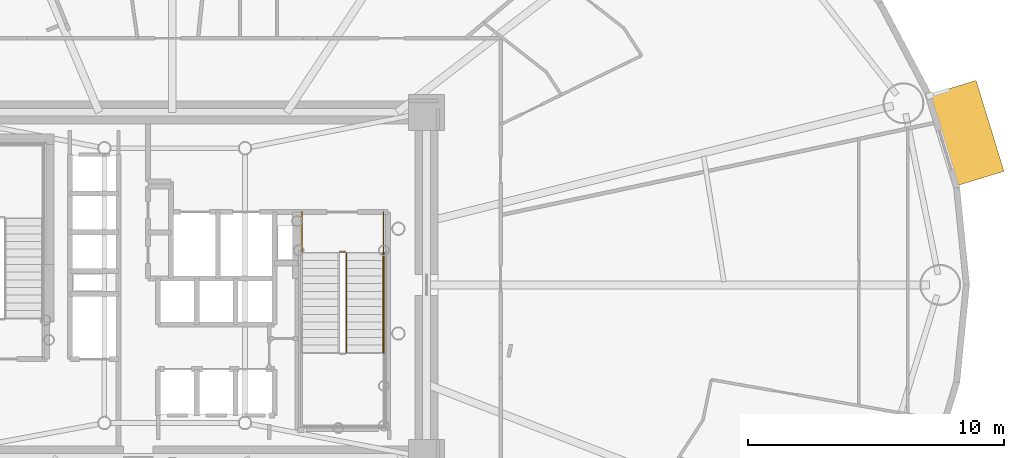
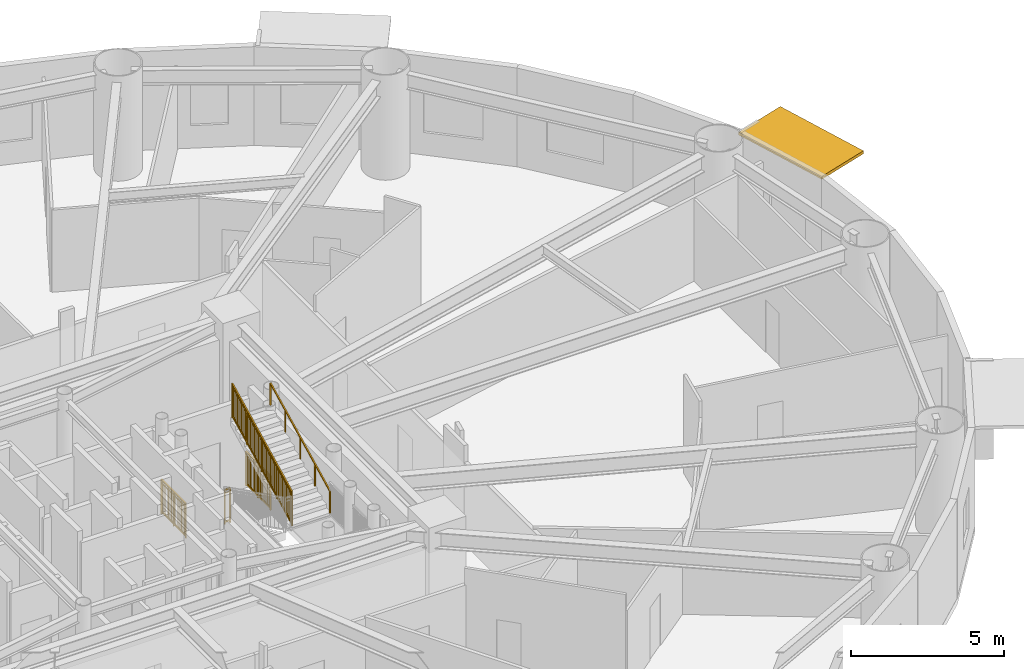
# One storey, part 20 of 21: 5 railings, 1 shading device.
"""IFC4 building model written with IfcOpenShell, lengths in metres."""

from ifc_helpers import new_model, si_unit, direction, frame, origin, origin_2d, place, context, subcontext, project, spatial, rectangle, extrude, source, transform, mapped, material, layer, layer_set, type_object, element, save


model = new_model("IFC4")

# Units and contexts
model_context = context("Model", 3, precision=1e-05, world=origin(), true_north=direction((0.0, 1.0)))
body_context = subcontext(model_context, "Body", "Model", "MODEL_VIEW")
ifc_project = project(units=[si_unit("LENGTHUNIT", "METRE"), si_unit("AREAUNIT", "SQUARE_METRE"), si_unit("VOLUMEUNIT", "CUBIC_METRE"), si_unit("PLANEANGLEUNIT", "RADIAN"), si_unit("MASSUNIT", "GRAM", prefix="KILO")], contexts=[model_context])

# Site, building, storey
site_placement = place(None, origin())
site = spatial("IfcSite", under=ifc_project, at=site_placement, CompositionType="ELEMENT")
building_placement = place(site_placement, origin())
building = spatial("IfcBuilding", under=site, at=building_placement, Name="Linh Dai School and Residence Tower", CompositionType="ELEMENT")
storey_placement = place(building_placement, frame((0.0, 0.0, 61.800048828125)))
storey = spatial("IfcBuildingStorey", under=building, at=storey_placement, Name="L14", CompositionType="ELEMENT", Elevation=61.800048828125)

# Shading device
ifc_material_1 = material(Name="Terracotta Ceramic Sunshade", Category="masonry")
ifc_layer = layer(ifc_material_1, 0.1201171875)
ifc_layer_set = layer_set([ifc_layer], Name="Terracotta Ceramic Sunshade")
shading_device_type = type_object("IfcShadingDeviceType", Name="SHD-TC-2000", PredefinedType="USERDEFINED", material=ifc_layer_set)
shared_shape_1 = source(origin(), body_context, "Body", "SweptSolid", [
    extrude(rectangle(XDim=3.7197265625, YDim=2.0, at=origin_2d()), origin(), (0.0, 0.0, 1.0), 0.1201171875),
])
shading_device_placement = place(storey_placement, frame((67.043212890625, 32.9306640625, 3.809814453125), z_axis=(0.0, 0.0, 1.0), x_axis=(0.293145733514, -0.956067769001, 0.0)))
element("IfcShadingDevice", 1, at=shading_device_placement, inside=storey, type_object=shading_device_type, Name="L14 Terracotta Horizontal Sunshade Band 02", ObjectType="SUNSHADE", PredefinedType="USERDEFINED", context=body_context, shape_type="MappedRepresentation", body=[
    mapped(shared_shape_1, transform((0.0, 0.0, 0.0), x_axis=(1.0, 0.0, 0.0), y_axis=(0.0, 1.0, 0.0), z_axis=(0.0, 0.0, 1.0), scale=1.0)),
])

# Railings
ifc_material_2 = material(Name="Structural Steel S355JR", Category="steel")
railing_type_1 = type_object("IfcRailingType", Name="RL-ST-GUARD-1400", PredefinedType="GUARDRAIL", material=ifc_material_2)
shared_shape_2 = source(origin(), body_context, "Body", "SweptSolid", [
    extrude(rectangle(XDim=0.048095703125, YDim=0.048095703125, at=origin_2d()), frame((0.0, 0.0, 1.3759765625), z_axis=(1.0, 0.0, 0.0), x_axis=(0.0, 1.0, 0.0)), (0.0, 0.0, 1.0), 0.199951171875),
    extrude(rectangle(XDim=0.048095703125, YDim=0.048095703125, at=origin_2d()), frame((0.0, 0.0, 0.10009765625), z_axis=(1.0, 0.0, 0.0), x_axis=(0.0, 1.0, 0.0)), (0.0, 0.0, 1.0), 0.199951171875),
    extrude(rectangle(XDim=0.030029296875, YDim=0.030029296875, at=origin_2d()), frame((0.0, 0.0, 1.239990234375), z_axis=(1.0, 0.0, 0.0), x_axis=(0.0, 1.0, 0.0)), (0.0, 0.0, 1.0), 0.199951171875),
    extrude(rectangle(XDim=0.0419921875, YDim=0.0419921875, at=origin_2d()), origin(), (0.0, 0.0, 1.0), 1.3759765625),
    extrude(rectangle(XDim=0.0419921875, YDim=0.0419921875, at=origin_2d()), frame((0.199951171875, 0.0, 0.0)), (0.0, 0.0, 1.0), 1.3759765625),
])
railing_1_placement = place(storey_placement, frame((42.570068359375, 28.300048828125, 0.0)))
element("IfcRailing", 2, at=railing_1_placement, inside=storey, type_object=railing_type_1, Name="L14 ST2 stair guard 7", PredefinedType="GUARDRAIL", context=body_context, shape_type="MappedRepresentation", body=[
    mapped(shared_shape_2, transform((0.0, 0.0, 0.0), x_axis=(1.0, 0.0, 0.0), y_axis=(0.0, 1.0, 0.0), z_axis=(0.0, 0.0, 1.0), scale=1.0)),
])
shared_shape_3 = source(origin(), body_context, "Body", "SweptSolid", [
    extrude(rectangle(XDim=0.048095703125, YDim=0.048095703125, at=origin_2d()), frame((0.0, 0.0, 1.3759765625), z_axis=(0.0, -1.0, 0.0), x_axis=(1.0, 0.0, 0.0)), (0.0, 0.0, 1.0), 1.60009765625),
    extrude(rectangle(XDim=0.048095703125, YDim=0.048095703125, at=origin_2d()), frame((0.0, 0.0, 0.10009765625), z_axis=(0.0, -1.0, 0.0), x_axis=(1.0, 0.0, 0.0)), (0.0, 0.0, 1.0), 1.60009765625),
    extrude(rectangle(XDim=0.030029296875, YDim=0.030029296875, at=origin_2d()), frame((0.0, 0.0, 1.239990234375), z_axis=(0.0, -1.0, 0.0), x_axis=(1.0, 0.0, 0.0)), (0.0, 0.0, 1.0), 1.60009765625),
    extrude(rectangle(XDim=0.02001953125, YDim=0.02001953125, at=origin_2d()), frame((0.0, -0.09423828125, 0.10009765625)), (0.0, 0.0, 1.0), 1.251708984375),
    extrude(rectangle(XDim=0.02001953125, YDim=0.02001953125, at=origin_2d()), frame((0.0, -0.188232421875, 0.10009765625)), (0.0, 0.0, 1.0), 1.251708984375),
    extrude(rectangle(XDim=0.02001953125, YDim=0.02001953125, at=origin_2d()), frame((0.0, -0.282470703125, 0.10009765625)), (0.0, 0.0, 1.0), 1.251708984375),
    extrude(rectangle(XDim=0.02001953125, YDim=0.02001953125, at=origin_2d()), frame((0.0, -0.37646484375, 0.10009765625)), (0.0, 0.0, 1.0), 1.251708984375),
    extrude(rectangle(XDim=0.02001953125, YDim=0.02001953125, at=origin_2d()), frame((0.0, -0.470703125, 0.10009765625)), (0.0, 0.0, 1.0), 1.251708984375),
    extrude(rectangle(XDim=0.02001953125, YDim=0.02001953125, at=origin_2d()), frame((0.0, -0.564697265625, 0.10009765625)), (0.0, 0.0, 1.0), 1.251708984375),
    extrude(rectangle(XDim=0.02001953125, YDim=0.02001953125, at=origin_2d()), frame((0.0, -0.658935546875, 0.10009765625)), (0.0, 0.0, 1.0), 1.251708984375),
    extrude(rectangle(XDim=0.02001953125, YDim=0.02001953125, at=origin_2d()), frame((0.0, -0.7529296875, 0.10009765625)), (0.0, 0.0, 1.0), 1.251708984375),
    extrude(rectangle(XDim=0.02001953125, YDim=0.02001953125, at=origin_2d()), frame((0.0, -0.84716796875, 0.10009765625)), (0.0, 0.0, 1.0), 1.251708984375),
    extrude(rectangle(XDim=0.02001953125, YDim=0.02001953125, at=origin_2d()), frame((0.0, -0.941162109375, 0.10009765625)), (0.0, 0.0, 1.0), 1.251708984375),
    extrude(rectangle(XDim=0.02001953125, YDim=0.02001953125, at=origin_2d()), frame((0.0, -1.035400390625, 0.10009765625)), (0.0, 0.0, 1.0), 1.251708984375),
    extrude(rectangle(XDim=0.02001953125, YDim=0.02001953125, at=origin_2d()), frame((0.0, -1.12939453125, 0.10009765625)), (0.0, 0.0, 1.0), 1.251708984375),
    extrude(rectangle(XDim=0.02001953125, YDim=0.02001953125, at=origin_2d()), frame((0.0, -1.2236328125, 0.10009765625)), (0.0, 0.0, 1.0), 1.251708984375),
    extrude(rectangle(XDim=0.02001953125, YDim=0.02001953125, at=origin_2d()), frame((0.0, -1.317626953125, 0.10009765625)), (0.0, 0.0, 1.0), 1.251708984375),
    extrude(rectangle(XDim=0.02001953125, YDim=0.02001953125, at=origin_2d()), frame((0.0, -1.411865234375, 0.10009765625)), (0.0, 0.0, 1.0), 1.251708984375),
    extrude(rectangle(XDim=0.02001953125, YDim=0.02001953125, at=origin_2d()), frame((0.0, -1.505859375, 0.10009765625)), (0.0, 0.0, 1.0), 1.251708984375),
    extrude(rectangle(XDim=0.0419921875, YDim=0.0419921875, at=origin_2d()), origin(), (0.0, 0.0, 1.0), 1.3759765625),
    extrude(rectangle(XDim=0.0419921875, YDim=0.0419921875, at=origin_2d()), frame((0.0, -0.800048828125, 0.0)), (0.0, 0.0, 1.0), 1.3759765625),
    extrude(rectangle(XDim=0.0419921875, YDim=0.0419921875, at=origin_2d()), frame((0.0, -1.60009765625, 0.0)), (0.0, 0.0, 1.0), 1.3759765625),
])
for number, where, name in (
    (3, (41.070068359375, 29.85009765625, 0.0), "L14 ST2 stair guard 8"),
    (4, (44.27001953125, 29.85009765625, 0.0), "L14 ST2 stair guard 9"),
):
    element("IfcRailing", number, at=place(storey_placement, frame(where)), inside=storey, type_object=railing_type_1, Name=name, PredefinedType="GUARDRAIL", context=body_context, shape_type="MappedRepresentation", body=[
        mapped(shared_shape_3, transform((0.0, 0.0, 0.0), x_axis=(1.0, 0.0, 0.0), y_axis=(0.0, 1.0, 0.0), z_axis=(0.0, 0.0, 1.0), scale=1.0)),
    ])
shared_shape_4 = source(origin(), body_context, "Body", "SweptSolid", [
    extrude(rectangle(XDim=0.048095703125, YDim=0.048095703125, at=origin_2d()), frame((0.0, 0.0, 1.3759765625), z_axis=(0.0, 0.894427191, 0.4472135955), x_axis=(-1.0, 0.0, 0.0)), (0.0, 0.0, 1.0), 4.360107421875),
    extrude(rectangle(XDim=0.048095703125, YDim=0.048095703125, at=origin_2d()), frame((0.0, 0.0, 0.10009765625), z_axis=(0.0, 0.894427191, 0.4472135955), x_axis=(-1.0, 0.0, 0.0)), (0.0, 0.0, 1.0), 4.360107421875),
    extrude(rectangle(XDim=0.030029296875, YDim=0.030029296875, at=origin_2d()), frame((0.0, 0.0, 1.239990234375), z_axis=(0.0, 0.894427191, 0.4472135955), x_axis=(-1.0, 0.0, 0.0)), (0.0, 0.0, 1.0), 4.360107421875),
    extrude(rectangle(XDim=0.02001953125, YDim=0.02001953125, at=origin_2d()), frame((0.0, 0.086669921875, 0.143310546875)), (0.0, 0.0, 1.0), 1.251708984375),
    extrude(rectangle(XDim=0.02001953125, YDim=0.02001953125, at=origin_2d()), frame((0.0, 0.17333984375, 0.186767578125)), (0.0, 0.0, 1.0), 1.251708984375),
    extrude(rectangle(XDim=0.02001953125, YDim=0.02001953125, at=origin_2d()), frame((0.0, 0.260009765625, 0.22998046875)), (0.0, 0.0, 1.0), 1.251708984375),
    extrude(rectangle(XDim=0.02001953125, YDim=0.02001953125, at=origin_2d()), frame((0.0, 0.3466796875, 0.2734375)), (0.0, 0.0, 1.0), 1.251708984375),
    extrude(rectangle(XDim=0.02001953125, YDim=0.02001953125, at=origin_2d()), frame((0.0, 0.433349609375, 0.316650390625)), (0.0, 0.0, 1.0), 1.251708984375),
    extrude(rectangle(XDim=0.02001953125, YDim=0.02001953125, at=origin_2d()), frame((0.0, 0.52001953125, 0.360107421875)), (0.0, 0.0, 1.0), 1.251708984375),
    extrude(rectangle(XDim=0.02001953125, YDim=0.02001953125, at=origin_2d()), frame((0.0, 0.606689453125, 0.4033203125)), (0.0, 0.0, 1.0), 1.251708984375),
    extrude(rectangle(XDim=0.02001953125, YDim=0.02001953125, at=origin_2d()), frame((0.0, 0.693359375, 0.44677734375)), (0.0, 0.0, 1.0), 1.251708984375),
    extrude(rectangle(XDim=0.02001953125, YDim=0.02001953125, at=origin_2d()), frame((0.0, 0.780029296875, 0.489990234375)), (0.0, 0.0, 1.0), 1.251708984375),
    extrude(rectangle(XDim=0.02001953125, YDim=0.02001953125, at=origin_2d()), frame((0.0, 0.86669921875, 0.533447265625)), (0.0, 0.0, 1.0), 1.251708984375),
    extrude(rectangle(XDim=0.02001953125, YDim=0.02001953125, at=origin_2d()), frame((0.0, 1.0400390625, 0.6201171875)), (0.0, 0.0, 1.0), 1.251708984375),
    extrude(rectangle(XDim=0.02001953125, YDim=0.02001953125, at=origin_2d()), frame((0.0, 1.126708984375, 0.663330078125)), (0.0, 0.0, 1.0), 1.251708984375),
    extrude(rectangle(XDim=0.02001953125, YDim=0.02001953125, at=origin_2d()), frame((0.0, 1.21337890625, 0.706787109375)), (0.0, 0.0, 1.0), 1.251708984375),
    extrude(rectangle(XDim=0.02001953125, YDim=0.02001953125, at=origin_2d()), frame((0.0, 1.300048828125, 0.75)), (0.0, 0.0, 1.0), 1.251708984375),
    extrude(rectangle(XDim=0.02001953125, YDim=0.02001953125, at=origin_2d()), frame((0.0, 1.38671875, 0.79345703125)), (0.0, 0.0, 1.0), 1.251708984375),
    extrude(rectangle(XDim=0.02001953125, YDim=0.02001953125, at=origin_2d()), frame((0.0, 1.473388671875, 0.836669921875)), (0.0, 0.0, 1.0), 1.251708984375),
    extrude(rectangle(XDim=0.02001953125, YDim=0.02001953125, at=origin_2d()), frame((0.0, 1.56005859375, 0.880126953125)), (0.0, 0.0, 1.0), 1.251708984375),
    extrude(rectangle(XDim=0.02001953125, YDim=0.02001953125, at=origin_2d()), frame((0.0, 1.646728515625, 0.92333984375)), (0.0, 0.0, 1.0), 1.251708984375),
    extrude(rectangle(XDim=0.02001953125, YDim=0.02001953125, at=origin_2d()), frame((0.0, 1.7333984375, 0.966796875)), (0.0, 0.0, 1.0), 1.251708984375),
    extrude(rectangle(XDim=0.02001953125, YDim=0.02001953125, at=origin_2d()), frame((0.0, 1.820068359375, 1.010009765625)), (0.0, 0.0, 1.0), 1.251708984375),
    extrude(rectangle(XDim=0.02001953125, YDim=0.02001953125, at=origin_2d()), frame((0.0, 1.90673828125, 1.053466796875)), (0.0, 0.0, 1.0), 1.251708984375),
    extrude(rectangle(XDim=0.02001953125, YDim=0.02001953125, at=origin_2d()), frame((0.0, 1.9931640625, 1.0966796875)), (0.0, 0.0, 1.0), 1.251708984375),
    extrude(rectangle(XDim=0.02001953125, YDim=0.02001953125, at=origin_2d()), frame((0.0, 2.079833984375, 1.14013671875)), (0.0, 0.0, 1.0), 1.251708984375),
    extrude(rectangle(XDim=0.02001953125, YDim=0.02001953125, at=origin_2d()), frame((0.0, 2.16650390625, 1.183349609375)), (0.0, 0.0, 1.0), 1.251708984375),
    extrude(rectangle(XDim=0.02001953125, YDim=0.02001953125, at=origin_2d()), frame((0.0, 2.253173828125, 1.226806640625)), (0.0, 0.0, 1.0), 1.251708984375),
    extrude(rectangle(XDim=0.02001953125, YDim=0.02001953125, at=origin_2d()), frame((0.0, 2.33984375, 1.27001953125)), (0.0, 0.0, 1.0), 1.251708984375),
    extrude(rectangle(XDim=0.02001953125, YDim=0.02001953125, at=origin_2d()), frame((0.0, 2.426513671875, 1.3134765625)), (0.0, 0.0, 1.0), 1.251708984375),
    extrude(rectangle(XDim=0.02001953125, YDim=0.02001953125, at=origin_2d()), frame((0.0, 2.51318359375, 1.356689453125)), (0.0, 0.0, 1.0), 1.251708984375),
    extrude(rectangle(XDim=0.02001953125, YDim=0.02001953125, at=origin_2d()), frame((0.0, 2.599853515625, 1.400146484375)), (0.0, 0.0, 1.0), 1.251708984375),
    extrude(rectangle(XDim=0.02001953125, YDim=0.02001953125, at=origin_2d()), frame((0.0, 2.6865234375, 1.443359375)), (0.0, 0.0, 1.0), 1.251708984375),
    extrude(rectangle(XDim=0.02001953125, YDim=0.02001953125, at=origin_2d()), frame((0.0, 2.773193359375, 1.48681640625)), (0.0, 0.0, 1.0), 1.251708984375),
    extrude(rectangle(XDim=0.02001953125, YDim=0.02001953125, at=origin_2d()), frame((0.0, 2.85986328125, 1.530029296875)), (0.0, 0.0, 1.0), 1.251708984375),
    extrude(rectangle(XDim=0.02001953125, YDim=0.02001953125, at=origin_2d()), frame((0.0, 3.033203125, 1.61669921875)), (0.0, 0.0, 1.0), 1.251708984375),
    extrude(rectangle(XDim=0.02001953125, YDim=0.02001953125, at=origin_2d()), frame((0.0, 3.119873046875, 1.66015625)), (0.0, 0.0, 1.0), 1.251708984375),
    extrude(rectangle(XDim=0.02001953125, YDim=0.02001953125, at=origin_2d()), frame((0.0, 3.20654296875, 1.703369140625)), (0.0, 0.0, 1.0), 1.251708984375),
    extrude(rectangle(XDim=0.02001953125, YDim=0.02001953125, at=origin_2d()), frame((0.0, 3.293212890625, 1.746826171875)), (0.0, 0.0, 1.0), 1.251708984375),
    extrude(rectangle(XDim=0.02001953125, YDim=0.02001953125, at=origin_2d()), frame((0.0, 3.3798828125, 1.7900390625)), (0.0, 0.0, 1.0), 1.251708984375),
    extrude(rectangle(XDim=0.02001953125, YDim=0.02001953125, at=origin_2d()), frame((0.0, 3.466552734375, 1.83349609375)), (0.0, 0.0, 1.0), 1.251708984375),
    extrude(rectangle(XDim=0.02001953125, YDim=0.02001953125, at=origin_2d()), frame((0.0, 3.55322265625, 1.876708984375)), (0.0, 0.0, 1.0), 1.251708984375),
    extrude(rectangle(XDim=0.02001953125, YDim=0.02001953125, at=origin_2d()), frame((0.0, 3.639892578125, 1.920166015625)), (0.0, 0.0, 1.0), 1.251708984375),
    extrude(rectangle(XDim=0.02001953125, YDim=0.02001953125, at=origin_2d()), frame((0.0, 3.7265625, 1.96337890625)), (0.0, 0.0, 1.0), 1.251708984375),
    extrude(rectangle(XDim=0.02001953125, YDim=0.02001953125, at=origin_2d()), frame((0.0, 3.813232421875, 2.0068359375)), (0.0, 0.0, 1.0), 1.251708984375),
    extrude(rectangle(XDim=0.0419921875, YDim=0.0419921875, at=origin_2d()), origin(), (0.0, 0.0, 1.0), 1.3759765625),
    extrude(rectangle(XDim=0.0419921875, YDim=0.0419921875, at=origin_2d()), frame((0.0, 0.97509765625, 0.487548828125)), (0.0, 0.0, 1.0), 1.3759765625),
    extrude(rectangle(XDim=0.0419921875, YDim=0.0419921875, at=origin_2d()), frame((0.0, 1.949951171875, 0.97509765625)), (0.0, 0.0, 1.0), 1.3759765625),
    extrude(rectangle(XDim=0.0419921875, YDim=0.0419921875, at=origin_2d()), frame((0.0, 2.9248046875, 1.46240234375)), (0.0, 0.0, 1.0), 1.3759765625),
    extrude(rectangle(XDim=0.0419921875, YDim=0.0419921875, at=origin_2d()), frame((0.0, 3.89990234375, 1.949951171875)), (0.0, 0.0, 1.0), 1.3759765625),
])
railing_2_placement = place(storey_placement, frame((42.820068359375, 24.35009765625, 2.25)))
element("IfcRailing", 5, at=railing_2_placement, inside=storey, type_object=railing_type_1, Name="L14 ST2 stair guard 6", PredefinedType="GUARDRAIL", context=body_context, shape_type="MappedRepresentation", body=[
    mapped(shared_shape_4, transform((0.0, 0.0, 0.0), x_axis=(1.0, 0.0, 0.0), y_axis=(0.0, 1.0, 0.0), z_axis=(0.0, 0.0, 1.0), scale=1.0)),
])
ifc_material_3 = material(Name="Brushed Stainless Steel Handrail", Category="steel")
railing_type_2 = type_object("IfcRailingType", Name="RL-ST-HANDRAIL-900", PredefinedType="HANDRAIL", material=ifc_material_3)
shared_shape_5 = source(origin(), body_context, "Body", "SweptSolid", [
    extrude(rectangle(XDim=0.048095703125, YDim=0.048095703125, at=origin_2d()), frame((0.0, 0.0, 0.8759765625), z_axis=(0.0, 0.894427191, 0.4472135955), x_axis=(-1.0, 0.0, 0.0)), (0.0, 0.0, 1.0), 4.360107421875),
    extrude(rectangle(XDim=0.0419921875, YDim=0.0419921875, at=origin_2d()), origin(), (0.0, 0.0, 1.0), 0.8759765625),
    extrude(rectangle(XDim=0.0419921875, YDim=0.0419921875, at=origin_2d()), frame((0.0, 0.97509765625, 0.487548828125)), (0.0, 0.0, 1.0), 0.8759765625),
    extrude(rectangle(XDim=0.0419921875, YDim=0.0419921875, at=origin_2d()), frame((0.0, 1.949951171875, 0.97509765625)), (0.0, 0.0, 1.0), 0.8759765625),
    extrude(rectangle(XDim=0.0419921875, YDim=0.0419921875, at=origin_2d()), frame((0.0, 2.9248046875, 1.46240234375)), (0.0, 0.0, 1.0), 0.8759765625),
    extrude(rectangle(XDim=0.0419921875, YDim=0.0419921875, at=origin_2d()), frame((0.0, 3.89990234375, 1.949951171875)), (0.0, 0.0, 1.0), 0.8759765625),
])
railing_3_placement = place(storey_placement, frame((44.27001953125, 24.35009765625, 2.25)))
element("IfcRailing", 6, at=railing_3_placement, inside=storey, type_object=railing_type_2, Name="L14 ST2 stair handrail 2", PredefinedType="HANDRAIL", context=body_context, shape_type="MappedRepresentation", body=[
    mapped(shared_shape_5, transform((0.0, 0.0, 0.0), x_axis=(1.0, 0.0, 0.0), y_axis=(0.0, 1.0, 0.0), z_axis=(0.0, 0.0, 1.0), scale=1.0)),
])

save(model, "model.ifc")
